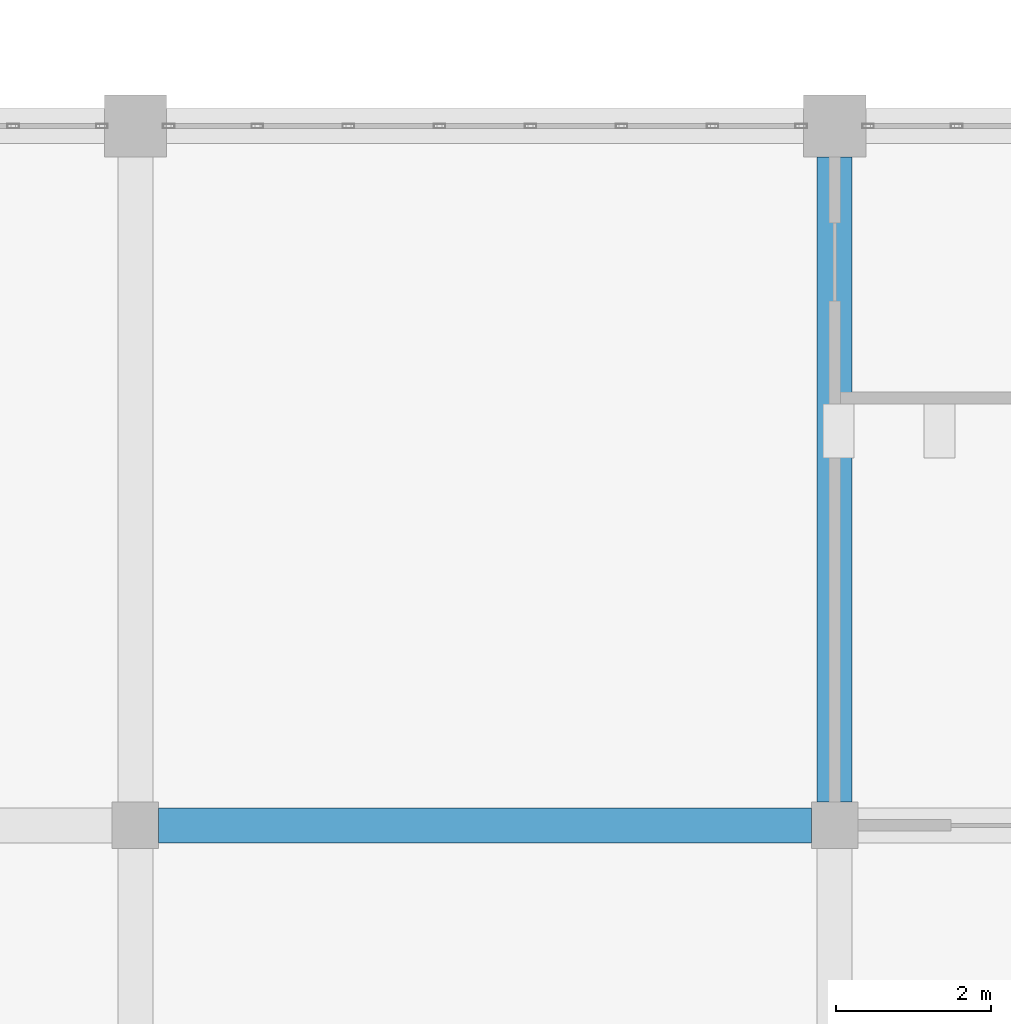
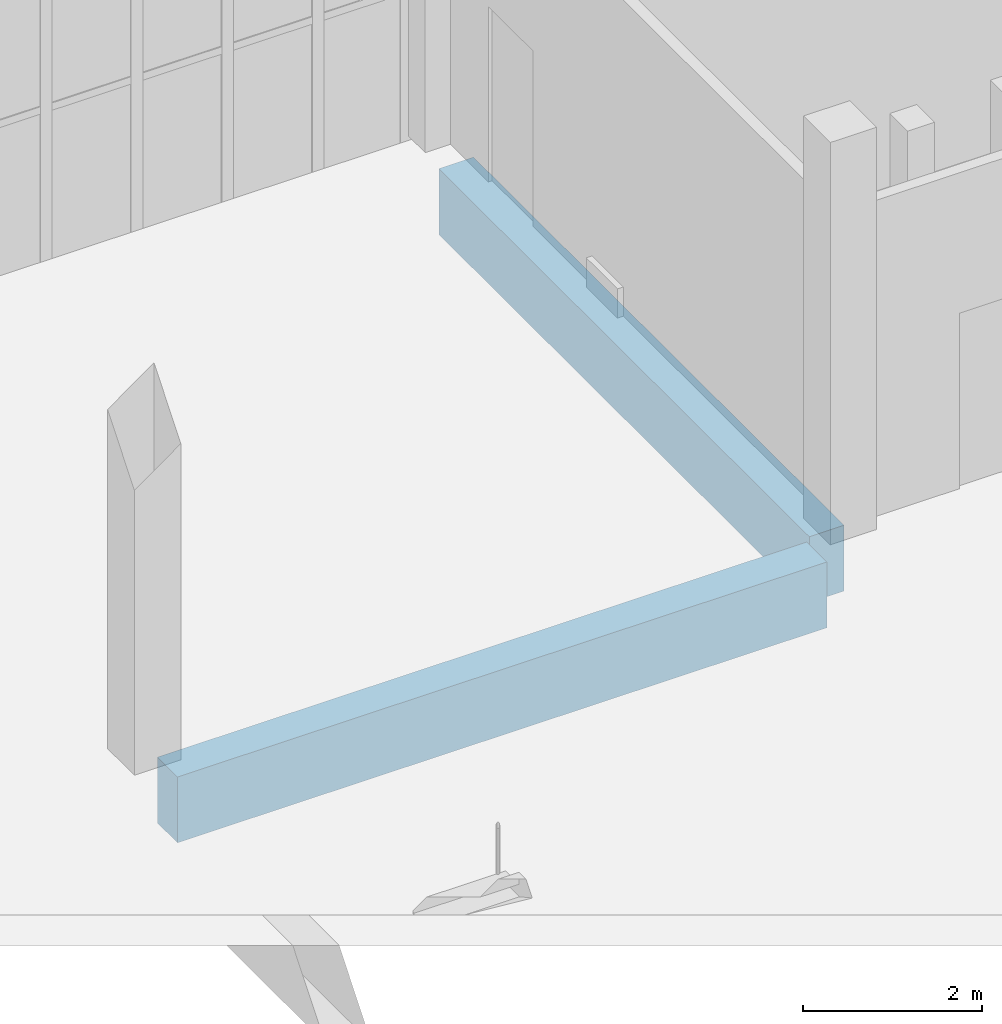
# One storey, part 35 of 185: 2 beams.
"""IFC4 building model written with IfcOpenShell, lengths in metres."""

import ifcopenshell
import ifcopenshell.guid

model = None  # the IFC model being written
_history = None  # IfcOwnerHistory: only IFC2X3 demands one
_inside = {}  # id of a spatial element -> (the spatial element, [elements in it])
_under = {}  # id of a project, library or spatial element -> (it, [spatial elements below it])
_declared = {}  # id of a project -> (the project, [libraries it declares])
_typed = {}  # id of a type object -> (the type object, [elements of that type])
_made_of = {}  # id of a material, layer set ... -> (it, [elements and type objects made of it])


def new_model(schema):
    """Start an empty IFC model of exactly this schema.

    Asked for "IFC4X3", IfcOpenShell would pick the latest addendum, in which some entities
    have other attributes; the version numbers below select the first issue.
    IFC2X3 requires an IfcOwnerHistory on every rooted entity: one is made here for all.
    """
    global model, _history
    if schema == "IFC4X3":
        model = ifcopenshell.file(schema_version=(4, 3, 0, 0))
    else:
        model = ifcopenshell.file(schema=schema)
    _inside.clear()
    _under.clear()
    _declared.clear()
    _typed.clear()
    _made_of.clear()
    _history = None
    if model.schema == "IFC2X3":
        org = make("IfcOrganization", Name="unknown")
        user = make(
            "IfcPersonAndOrganization",
            ThePerson=make("IfcPerson", FamilyName="unknown"),
            TheOrganization=org,
        )
        app = make(
            "IfcApplication",
            ApplicationDeveloper=org,
            Version="unknown",
            ApplicationFullName="unknown",
            ApplicationIdentifier="unknown",
        )
        _history = make(
            "IfcOwnerHistory",
            OwningUser=user,
            OwningApplication=app,
            ChangeAction="ADDED",
            CreationDate=0,
        )
    return model


def make(cls, **values):
    """One entity of the class cls with the attributes given. An attribute that is None is left unset."""
    return model.create_entity(
        cls, **{name: value for name, value in values.items() if value is not None}
    )


def rooted(cls, **values):
    """An entity with a GlobalId (a new one), such as an element, a storey or a relation."""
    return make(cls, GlobalId=ifcopenshell.guid.new(), OwnerHistory=_history, **values)


def si_unit(unit_type, name, prefix=None):
    """IfcSIUnit, for example si_unit("LENGTHUNIT", "METRE", prefix="MILLI")."""
    return make("IfcSIUnit", UnitType=unit_type, Prefix=prefix, Name=name)


def assignment(units):
    """IfcUnitAssignment: the units of a project."""
    return None if units is None else make("IfcUnitAssignment", Units=units)


def point(xyz):
    """IfcCartesianPoint."""
    return None if xyz is None else make("IfcCartesianPoint", Coordinates=xyz)


def direction(xyz):
    """IfcDirection."""
    return None if xyz is None else make("IfcDirection", DirectionRatios=xyz)


def frame(location, z_axis=None, x_axis=None):
    """IfcAxis2Placement3D, a coordinate frame: its origin and axes. An axis left out is left unset."""
    return make(
        "IfcAxis2Placement3D",
        Location=point(location),
        Axis=direction(z_axis),
        RefDirection=direction(x_axis),
    )


def frame_2d(location, x_axis=None):
    """IfcAxis2Placement2D, a coordinate frame in the plane: its origin and x axis."""
    return make(
        "IfcAxis2Placement2D", Location=point(location), RefDirection=direction(x_axis)
    )


def origin():
    """The frame at (0, 0, 0) with its axes left unset."""
    return frame((0.0, 0.0, 0.0))


def origin_2d():
    """The frame at (0, 0) in the plane with its x axis left unset."""
    return frame_2d((0.0, 0.0))


def place(relative_to, where):
    """IfcLocalPlacement: puts the frame where relative to a parent placement (None: the world)."""
    return make(
        "IfcLocalPlacement", PlacementRelTo=relative_to, RelativePlacement=where
    )


def context(
    kind, dimensions, precision=None, world=None, true_north=None, identifier=None
):
    """IfcGeometricRepresentationContext, for example the 3D "Model" context."""
    return make(
        "IfcGeometricRepresentationContext",
        ContextIdentifier=identifier,
        ContextType=kind,
        CoordinateSpaceDimension=dimensions,
        Precision=precision,
        WorldCoordinateSystem=world,
        TrueNorth=true_north,
    )


def subcontext(parent, identifier, kind, view, scale=None):
    """IfcGeometricRepresentationSubContext, for example "Body" below "Model"."""
    return make(
        "IfcGeometricRepresentationSubContext",
        ContextIdentifier=identifier,
        ContextType=kind,
        ParentContext=parent,
        TargetScale=scale,
        TargetView=view,
    )


def project(units=None, contexts=None):
    """IfcProject with its units and contexts."""
    return rooted(
        "IfcProject",
        Name="project",
        RepresentationContexts=contexts,
        UnitsInContext=assignment(units),
    )


def spatial(cls, under=None, at=None, **own):
    """A site, building, storey or space (cls), placed at a placement, below another one or the project."""
    s = rooted(cls, ObjectPlacement=at, **own)
    if under is not None:
        _under.setdefault(under.id(), (under, []))[1].append(s)
    return s


def profile(cls, at=None, kind="AREA", **sizes):
    """A parametric profile (cls). Its sizes go by their IFC names, for example OverallWidth=200.0."""
    return make(cls, ProfileType=kind, Position=at, **sizes)


def rectangle(**sizes):
    """IfcRectangleProfileDef."""
    return profile("IfcRectangleProfileDef", **sizes)


def extrude(swept, where, along, depth):
    """IfcExtrudedAreaSolid: the profile swept, set in the frame where, extruded along a direction by depth."""
    return make(
        "IfcExtrudedAreaSolid",
        SweptArea=swept,
        Position=where,
        ExtrudedDirection=direction(along),
        Depth=depth,
    )


def shape(context_of_items, identifier, shape_type, items):
    """IfcShapeRepresentation: the items that make up one representation, for example the "Body"."""
    return make(
        "IfcShapeRepresentation",
        ContextOfItems=context_of_items,
        RepresentationIdentifier=identifier,
        RepresentationType=shape_type,
        Items=items,
    )


def material(Name=None, Category=None):
    """IfcMaterial."""
    return make("IfcMaterial", Name=Name, Category=Category)


def material_profile(
    of_material, cross_section, Name=None, Category=None, Priority=None
):
    """IfcMaterialProfile: a cross section and its material."""
    return make(
        "IfcMaterialProfile",
        Name=Name,
        Material=of_material,
        Profile=cross_section,
        Priority=Priority,
        Category=Category,
    )


def profile_set(profiles, Name=None, composite=None):
    """IfcMaterialProfileSet."""
    return make(
        "IfcMaterialProfileSet",
        Name=Name,
        MaterialProfiles=profiles,
        CompositeProfile=composite,
    )


def made_of(thing, what):
    """Note that an element or type object is made of a material, layer set ...; save() writes the relation."""
    if what is not None:
        _made_of.setdefault(what.id(), (what, []))[1].append(thing)
    return thing


def type_object(cls, material=None, **own):
    """A type object (cls), such as IfcWallType, which elements share."""
    return made_of(rooted(cls, **own), material)


def element(
    cls,
    number,
    at=None,
    inside=None,
    cuts=None,
    type_object=None,
    material=None,
    context=None,
    identifier="Body",
    shape_type=None,
    held_by="IfcProductDefinitionShape",
    body=None,
    shapes=None,
    **own,
):
    """One element of the class cls, such as IfcWall. Its Tag is "e" and its number.

    at: its placement. inside: the storey or other place that contains it. cuts: it is an
    opening in that element (IfcRelVoidsElement). A single representation is given by context,
    identifier, shape_type and body (its items); several are given by shapes. held_by: the class
    of the entity that holds the representations. save() writes the other relations.
    """
    e = rooted(cls, Tag="e%d" % number, ObjectPlacement=at, **own)
    if body is not None:
        shapes = [shape(context, identifier, shape_type, body)]
    if shapes is not None:
        e.Representation = make(held_by, Representations=shapes)
    if inside is not None:
        _inside.setdefault(inside.id(), (inside, []))[1].append(e)
    if cuts is not None:
        rooted(
            "IfcRelVoidsElement", RelatingBuildingElement=cuts, RelatedOpeningElement=e
        )
    if type_object is not None:
        _typed.setdefault(type_object.id(), (type_object, []))[1].append(e)
    return made_of(e, material)


def aggregate(whole, parts):
    """IfcRelAggregates: a whole, such as a stair, and the parts it consists of."""
    return rooted("IfcRelAggregates", RelatingObject=whole, RelatedObjects=parts)


def save(model, path):
    """Write the relations noted so far, then the file.

    IfcRelAggregates (storeys below a building ...), IfcRelContainedInSpatialStructure (elements
    in a storey), IfcRelDefinesByType, IfcRelAssociatesMaterial and IfcRelDeclares: one each for
    every whole, place, type object, material and project.
    """
    for whole, parts in _under.values():
        aggregate(whole, parts)
    for where, things in _inside.values():
        rooted(
            "IfcRelContainedInSpatialStructure",
            RelatedElements=things,
            RelatingStructure=where,
        )
    for kind, things in _typed.values():
        rooted("IfcRelDefinesByType", RelatedObjects=things, RelatingType=kind)
    for what, things in _made_of.values():
        rooted("IfcRelAssociatesMaterial", RelatedObjects=things, RelatingMaterial=what)
    for by, libraries in _declared.values():
        rooted("IfcRelDeclares", RelatingContext=by, RelatedDefinitions=libraries)
    model.write(path)


model = new_model("IFC4")

# Units and contexts
model_context = context("Model", 3, precision=1e-05, world=origin(), true_north=direction((0.0, 1.0)))
body_context = subcontext(model_context, "Body", "Model", "MODEL_VIEW")
ifc_project = project(units=[si_unit("LENGTHUNIT", "METRE"), si_unit("AREAUNIT", "SQUARE_METRE"), si_unit("VOLUMEUNIT", "CUBIC_METRE"), si_unit("PLANEANGLEUNIT", "RADIAN"), si_unit("MASSUNIT", "GRAM", prefix="KILO")], contexts=[model_context])

# Site, building, storey
site_placement = place(None, origin())
site = spatial("IfcSite", under=ifc_project, at=site_placement, CompositionType="ELEMENT")
building_placement = place(site_placement, origin())
building = spatial("IfcBuilding", under=site, at=building_placement, Name="Opaline Strait Convention Centre", CompositionType="ELEMENT")
storey_placement = place(building_placement, frame((0.0, 0.0, 6.0)))
storey = spatial("IfcBuildingStorey", under=building, at=storey_placement, Name="L01", CompositionType="ELEMENT", Elevation=6.0)

# Beams
ifc_material = material(Name="Concrete C35", Category="concrete")
ifc_material_profile = material_profile(ifc_material, rectangle(XDim=0.449951171875, YDim=0.89990234375, at=origin_2d()), Name="RC 450x900")
ifc_profile_set = profile_set([ifc_material_profile], Name="Concrete C35")
beam_type = type_object("IfcBeamType", Name="RC floor beam 450x900 C35", PredefinedType="BEAM", material=ifc_profile_set)
beam_1_placement = place(storey_placement, frame((45.300048828125, 171.0, -0.72998046875), z_axis=(1.0, 0.0, 0.0), x_axis=(0.0, 1.0, 0.0)))
element("IfcBeam", 1, at=beam_1_placement, inside=storey, type_object=beam_type, Name="PFB1 L01 beam 6/V-7/V", PredefinedType="BEAM", context=body_context, shape_type="SweptSolid", body=[
    extrude(rectangle(XDim=0.449951171875, YDim=0.89990234375, at=origin_2d()), origin(), (0.0, 0.0, 1.0), 8.39990234375),
])
beam_2_placement = place(storey_placement, frame((54.0, 171.300048828125, -0.72998046875), z_axis=(0.0, 1.0, 0.0), x_axis=(-1.0, 0.0, 0.0)))
element("IfcBeam", 2, at=beam_2_placement, inside=storey, type_object=beam_type, Name="PFB1 L01 beam 7/V-7/W", PredefinedType="BEAM", context=body_context, shape_type="SweptSolid", body=[
    extrude(rectangle(XDim=0.449951171875, YDim=0.89990234375, at=origin_2d()), origin(), (0.0, 0.0, 1.0), 8.300048828125),
])

save(model, "model.ifc")
